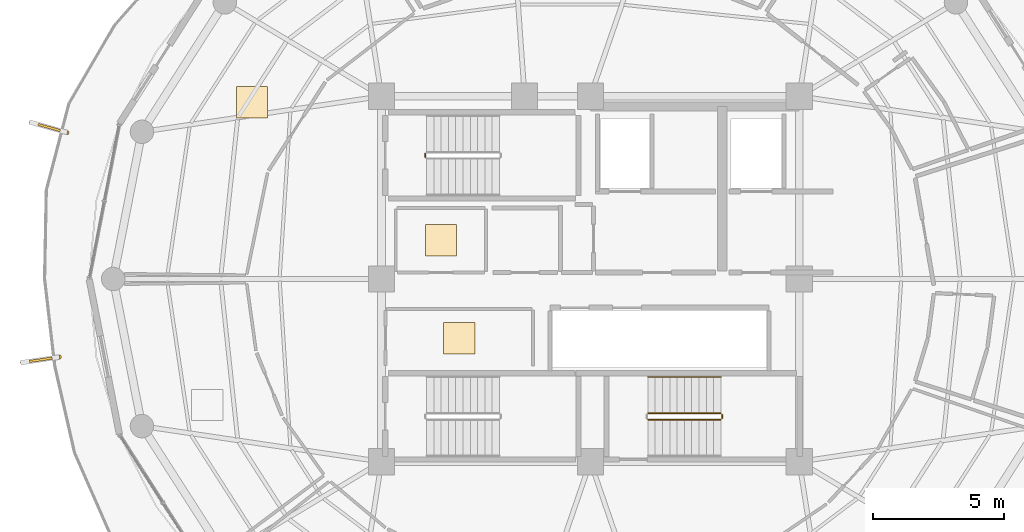
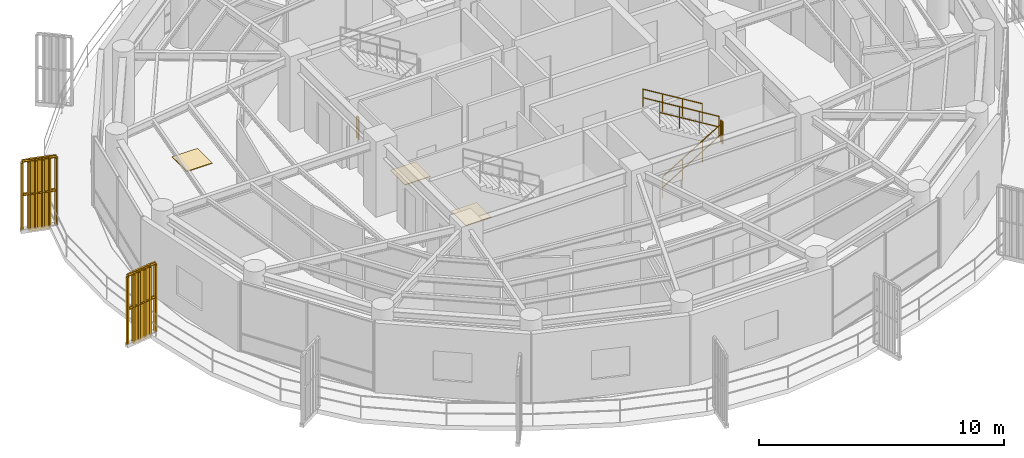
# One storey, part 20 of 22: 7 railings, 3 coverings, 2 shading devices.
"""IFC4 building model written with IfcOpenShell, lengths in metres."""

from ifc_helpers import new_model, si_unit, direction, frame, origin, origin_2d, place, context, subcontext, project, spatial, polyline, rectangle, outline, extrude, source, transform, mapped, material, layer, layer_set, type_object, element, save


model = new_model("IFC4")

# Units and contexts
model_context = context("Model", 3, precision=1e-05, world=origin(), true_north=direction((0.0, 1.0)))
body_context = subcontext(model_context, "Body", "Model", "MODEL_VIEW")
ifc_project = project(units=[si_unit("LENGTHUNIT", "METRE"), si_unit("AREAUNIT", "SQUARE_METRE"), si_unit("VOLUMEUNIT", "CUBIC_METRE"), si_unit("PLANEANGLEUNIT", "RADIAN"), si_unit("MASSUNIT", "GRAM", prefix="KILO")], contexts=[model_context])

# Site, building, storey
site_placement = place(None, origin())
site = spatial("IfcSite", under=ifc_project, at=site_placement, CompositionType="ELEMENT")
building_placement = place(site_placement, origin())
building = spatial("IfcBuilding", under=site, at=building_placement, Name="Kelanora Arch Commons", CompositionType="ELEMENT")
storey_placement = place(building_placement, frame((0.0, 0.0, 263.699951171875)))
storey = spatial("IfcBuildingStorey", under=building, at=storey_placement, Name="L67", CompositionType="ELEMENT", Elevation=263.699951171875)

# Railings
ifc_material_1 = material(Name="Anodised bronze vertical shading fin rib assembly")
railing_type_1 = type_object("IfcRailingType", Name="RAIL-FIN-BRZ", PredefinedType="BALUSTRADE", material=ifc_material_1)
railing_1_placement = place(storey_placement, frame((53.960205078125, 63.607666015625, -0.02001953125)))
element("IfcRailing", 1, at=railing_1_placement, inside=storey, type_object=railing_type_1, Name="Sweeping Bronze Vertical Fin Blade L67-08", PredefinedType="BALUSTRADE", context=body_context, shape_type="SweptSolid", body=[
    extrude(outline(polyline([(0.06982421875, 0.0), (0.034912109375, 0.060546875), (-0.034912109375, 0.060546875), (-0.06982421875, 0.0), (-0.034912109375, -0.060546875), (0.034912109375, -0.060546875), (0.06982421875, 0.0)])), frame((0.0, 0.0, 3.419921875), z_axis=(-0.962993811263, 0.269523504484, 0.0), x_axis=(-0.269523504484, -0.962993811263, 0.0)), (0.0, 0.0, 1.0), 1.446533203125),
    extrude(outline(polyline([(0.06982421875, 0.0), (0.034912109375, 0.060546875), (-0.034912109375, 0.060546875), (-0.06982421875, 0.0), (-0.034912109375, -0.060546875), (0.034912109375, -0.060546875), (0.06982421875, 0.0)])), frame((0.0, 0.0, 1.7451171875), z_axis=(-0.962993811263, 0.269523504484, 0.0), x_axis=(-0.269523504484, -0.962993811263, 0.0)), (0.0, 0.0, 1.0), 1.446533203125),
    extrude(outline(polyline([(0.080078125, 0.0), (0.0400390625, 0.0693359375), (-0.0400390625, 0.0693359375), (-0.080078125, 0.0), (-0.0400390625, -0.0693359375), (0.0400390625, -0.0693359375), (0.080078125, 0.0)])), origin(), (0.0, 0.0, 1.0), 3.35009765625),
    extrude(outline(polyline([(0.080078125, 0.0), (0.0400390625, 0.0693359375), (-0.0400390625, 0.0693359375), (-0.080078125, 0.0), (-0.0400390625, -0.0693359375), (0.0400390625, -0.0693359375), (0.080078125, 0.0)])), frame((-0.278564453125, 0.077880859375, 0.0)), (0.0, 0.0, 1.0), 3.35009765625),
    extrude(outline(polyline([(0.080078125, 0.0), (0.0400390625, 0.0693359375), (-0.0400390625, 0.0693359375), (-0.080078125, 0.0), (-0.0400390625, -0.0693359375), (0.0400390625, -0.0693359375), (0.080078125, 0.0)])), frame((-0.55712890625, 0.156005859375, 0.0)), (0.0, 0.0, 1.0), 3.35009765625),
    extrude(outline(polyline([(0.080078125, 0.0), (0.0400390625, 0.0693359375), (-0.0400390625, 0.0693359375), (-0.080078125, 0.0), (-0.0400390625, -0.0693359375), (0.0400390625, -0.0693359375), (0.080078125, 0.0)])), frame((-0.8359375, 0.23388671875, 0.0)), (0.0, 0.0, 1.0), 3.35009765625),
    extrude(outline(polyline([(0.080078125, 0.0), (0.0400390625, 0.0693359375), (-0.0400390625, 0.0693359375), (-0.080078125, 0.0), (-0.0400390625, -0.0693359375), (0.0400390625, -0.0693359375), (0.080078125, 0.0)])), frame((-1.114501953125, 0.31201171875, 0.0)), (0.0, 0.0, 1.0), 3.35009765625),
    extrude(outline(polyline([(0.080078125, 0.0), (0.0400390625, 0.0693359375), (-0.0400390625, 0.0693359375), (-0.080078125, 0.0), (-0.0400390625, -0.0693359375), (0.0400390625, -0.0693359375), (0.080078125, 0.0)])), frame((-1.39306640625, 0.389892578125, 0.0)), (0.0, 0.0, 1.0), 3.35009765625),
])
railing_2_placement = place(storey_placement, frame((53.662841796875, 55.0087890625, -0.02001953125)))
element("IfcRailing", 2, at=railing_2_placement, inside=storey, type_object=railing_type_1, Name="Sweeping Bronze Vertical Fin Blade L67-09", PredefinedType="BALUSTRADE", context=body_context, shape_type="SweptSolid", body=[
    extrude(outline(polyline([(0.06982421875, 0.0), (0.034912109375, 0.060546875), (-0.034912109375, 0.060546875), (-0.06982421875, 0.0), (-0.034912109375, -0.060546875), (0.034912109375, -0.060546875), (0.06982421875, 0.0)])), frame((0.0, 0.0, 3.419921875), z_axis=(-0.989364135752, -0.1454599838, 0.0), x_axis=(0.1454599838, -0.989364135752, 0.0)), (0.0, 0.0, 1.0), 1.44677734375),
    extrude(outline(polyline([(0.06982421875, 0.0), (0.034912109375, 0.060546875), (-0.034912109375, 0.060546875), (-0.06982421875, 0.0), (-0.034912109375, -0.060546875), (0.034912109375, -0.060546875), (0.06982421875, 0.0)])), frame((0.0, 0.0, 1.7451171875), z_axis=(-0.989364135752, -0.1454599838, 0.0), x_axis=(0.1454599838, -0.989364135752, 0.0)), (0.0, 0.0, 1.0), 1.44677734375),
    extrude(outline(polyline([(0.080078125, 0.0), (0.0400390625, 0.0693359375), (-0.0400390625, 0.0693359375), (-0.080078125, 0.0), (-0.0400390625, -0.0693359375), (0.0400390625, -0.0693359375), (0.080078125, 0.0)])), origin(), (0.0, 0.0, 1.0), 3.35009765625),
    extrude(outline(polyline([(0.080078125, 0.0), (0.0400390625, 0.0693359375), (-0.0400390625, 0.0693359375), (-0.080078125, 0.0), (-0.0400390625, -0.0693359375), (0.0400390625, -0.0693359375), (0.080078125, 0.0)])), frame((-0.286376953125, -0.0419921875, 0.0)), (0.0, 0.0, 1.0), 3.35009765625),
    extrude(outline(polyline([(0.080078125, 0.0), (0.0400390625, 0.0693359375), (-0.0400390625, 0.0693359375), (-0.080078125, 0.0), (-0.0400390625, -0.0693359375), (0.0400390625, -0.0693359375), (0.080078125, 0.0)])), frame((-0.572509765625, -0.084228515625, 0.0)), (0.0, 0.0, 1.0), 3.35009765625),
    extrude(outline(polyline([(0.080078125, 0.0), (0.0400390625, 0.0693359375), (-0.0400390625, 0.0693359375), (-0.080078125, 0.0), (-0.0400390625, -0.0693359375), (0.0400390625, -0.0693359375), (0.080078125, 0.0)])), frame((-0.85888671875, -0.126220703125, 0.0)), (0.0, 0.0, 1.0), 3.35009765625),
    extrude(outline(polyline([(0.080078125, 0.0), (0.0400390625, 0.0693359375), (-0.0400390625, 0.0693359375), (-0.080078125, 0.0), (-0.0400390625, -0.0693359375), (0.0400390625, -0.0693359375), (0.080078125, 0.0)])), frame((-1.14501953125, -0.16845703125, 0.0)), (0.0, 0.0, 1.0), 3.35009765625),
    extrude(outline(polyline([(0.080078125, 0.0), (0.0400390625, 0.0693359375), (-0.0400390625, 0.0693359375), (-0.080078125, 0.0), (-0.0400390625, -0.0693359375), (0.0400390625, -0.0693359375), (0.080078125, 0.0)])), frame((-1.431396484375, -0.21044921875, 0.0)), (0.0, 0.0, 1.0), 3.35009765625),
])
ifc_material_2 = material(Name="Painted steel stair well guard", Category="steel")
railing_type_2 = type_object("IfcRailingType", Name="RAIL-STAIR-GRD", PredefinedType="GUARDRAIL", material=ifc_material_2)
railing_3_placement = place(storey_placement, frame((67.669921875, 62.659912109375, 0.0)))
element("IfcRailing", 3, at=railing_3_placement, inside=storey, type_object=railing_type_2, Name="L67 ST-T1 stair guard 4", PredefinedType="GUARDRAIL", context=body_context, shape_type="SweptSolid", body=[
    extrude(outline(polyline([(0.02392578125, 0.0), (0.011962890625, 0.020751953125), (-0.011962890625, 0.020751953125), (-0.02392578125, 0.0), (-0.011962890625, -0.020751953125), (0.011962890625, -0.020751953125), (0.02392578125, 0.0)])), frame((0.0, 0.0, 1.076171875), z_axis=(0.0, 1.0, 0.0), x_axis=(-1.0, 0.0, 0.0)), (0.0, 0.0, 1.0), 0.150146484375),
    extrude(outline(polyline([(0.02392578125, 0.0), (0.011962890625, 0.020751953125), (-0.011962890625, 0.020751953125), (-0.02392578125, 0.0), (-0.011962890625, -0.020751953125), (0.011962890625, -0.020751953125), (0.02392578125, 0.0)])), frame((0.0, 0.0, 0.550048828125), z_axis=(0.0, 1.0, 0.0), x_axis=(-1.0, 0.0, 0.0)), (0.0, 0.0, 1.0), 0.150146484375),
    extrude(outline(polyline([(0.02099609375, 0.0), (0.010498046875, 0.01806640625), (-0.010498046875, 0.01806640625), (-0.02099609375, 0.0), (-0.010498046875, -0.01806640625), (0.010498046875, -0.01806640625), (0.02099609375, 0.0)])), origin(), (0.0, 0.0, 1.0), 1.052001953125),
    extrude(outline(polyline([(0.02099609375, 0.0), (0.010498046875, 0.01806640625), (-0.010498046875, 0.01806640625), (-0.02099609375, 0.0), (-0.010498046875, -0.01806640625), (0.010498046875, -0.01806640625), (0.02099609375, 0.0)])), frame((0.0, 0.150146484375, 0.0)), (0.0, 0.0, 1.0), 1.052001953125),
])
railing_4_placement = place(storey_placement, frame((76.199951171875, 52.610107421875, 0.17041015625)))
element("IfcRailing", 4, at=railing_4_placement, inside=storey, type_object=railing_type_2, Name="L67 ST-T2 stair guard 1", PredefinedType="GUARDRAIL", context=body_context, shape_type="SweptSolid", body=[
    extrude(outline(polyline([(0.02392578125, 0.0), (0.011962890625, 0.020751953125), (-0.011962890625, 0.020751953125), (-0.02392578125, 0.0), (-0.011962890625, -0.020751953125), (0.011962890625, -0.020751953125), (0.02392578125, 0.0)])), frame((0.0, 0.0, 1.076171875), z_axis=(0.854169791009, 0.0, 0.51999420009), x_axis=(0.0, 1.0, 0.0)), (0.0, 0.0, 1.0), 3.278076171875),
    extrude(outline(polyline([(0.02392578125, 0.0), (0.011962890625, 0.020751953125), (-0.011962890625, 0.020751953125), (-0.02392578125, 0.0), (-0.011962890625, -0.020751953125), (0.011962890625, -0.020751953125), (0.02392578125, 0.0)])), frame((0.0, 0.0, 0.550048828125), z_axis=(0.854169791009, 0.0, 0.51999420009), x_axis=(0.0, 1.0, 0.0)), (0.0, 0.0, 1.0), 3.278076171875),
    extrude(outline(polyline([(0.02099609375, 0.0), (0.010498046875, 0.01806640625), (-0.010498046875, 0.01806640625), (-0.02099609375, 0.0), (-0.010498046875, -0.01806640625), (0.010498046875, -0.01806640625), (0.02099609375, 0.0)])), origin(), (0.0, 0.0, 1.0), 1.052001953125),
    extrude(outline(polyline([(0.02099609375, 0.0), (0.010498046875, 0.01806640625), (-0.010498046875, 0.01806640625), (-0.02099609375, 0.0), (-0.010498046875, -0.01806640625), (0.010498046875, -0.01806640625), (0.02099609375, 0.0)])), frame((0.933349609375, 0.0, 0.568115234375)), (0.0, 0.0, 1.0), 1.052001953125),
    extrude(outline(polyline([(0.02099609375, 0.0), (0.010498046875, 0.01806640625), (-0.010498046875, 0.01806640625), (-0.02099609375, 0.0), (-0.010498046875, -0.01806640625), (0.010498046875, -0.01806640625), (0.02099609375, 0.0)])), frame((1.86669921875, 0.0, 1.136474609375)), (0.0, 0.0, 1.0), 1.052001953125),
    extrude(outline(polyline([(0.02099609375, 0.0), (0.010498046875, 0.01806640625), (-0.010498046875, 0.01806640625), (-0.02099609375, 0.0), (-0.010498046875, -0.01806640625), (0.010498046875, -0.01806640625), (0.02099609375, 0.0)])), frame((2.800048828125, 0.0, 1.70458984375)), (0.0, 0.0, 1.0), 1.052001953125),
])
railing_5_placement = place(storey_placement, frame((79.050048828125, 52.659912109375, 1.875)))
element("IfcRailing", 5, at=railing_5_placement, inside=storey, type_object=railing_type_2, Name="L67 ST-T2 stair guard 2", PredefinedType="GUARDRAIL", context=body_context, shape_type="SweptSolid", body=[
    extrude(outline(polyline([(0.02392578125, 0.0), (0.011962890625, 0.020751953125), (-0.011962890625, 0.020751953125), (-0.02392578125, 0.0), (-0.011962890625, -0.020751953125), (0.011962890625, -0.020751953125), (0.02392578125, 0.0)])), frame((0.0, 0.0, 1.076171875), z_axis=(0.0, 1.0, 0.0), x_axis=(-1.0, 0.0, 0.0)), (0.0, 0.0, 1.0), 0.150146484375),
    extrude(outline(polyline([(0.02392578125, 0.0), (0.011962890625, 0.020751953125), (-0.011962890625, 0.020751953125), (-0.02392578125, 0.0), (-0.011962890625, -0.020751953125), (0.011962890625, -0.020751953125), (0.02392578125, 0.0)])), frame((0.0, 0.0, 0.550048828125), z_axis=(0.0, 1.0, 0.0), x_axis=(-1.0, 0.0, 0.0)), (0.0, 0.0, 1.0), 0.150146484375),
    extrude(outline(polyline([(0.02099609375, 0.0), (0.010498046875, 0.01806640625), (-0.010498046875, 0.01806640625), (-0.02099609375, 0.0), (-0.010498046875, -0.01806640625), (0.010498046875, -0.01806640625), (0.02099609375, 0.0)])), origin(), (0.0, 0.0, 1.0), 1.052001953125),
    extrude(outline(polyline([(0.02099609375, 0.0), (0.010498046875, 0.01806640625), (-0.010498046875, 0.01806640625), (-0.02099609375, 0.0), (-0.010498046875, -0.01806640625), (0.010498046875, -0.01806640625), (0.02099609375, 0.0)])), frame((0.0, 0.150146484375, 0.0)), (0.0, 0.0, 1.0), 1.052001953125),
])
railing_6_placement = place(storey_placement, frame((79.0, 52.860107421875, 2.04541015625)))
element("IfcRailing", 6, at=railing_6_placement, inside=storey, type_object=railing_type_2, Name="L67 ST-T2 stair guard 3", PredefinedType="GUARDRAIL", context=body_context, shape_type="SweptSolid", body=[
    extrude(outline(polyline([(0.02392578125, 0.0), (0.011962890625, 0.020751953125), (-0.011962890625, 0.020751953125), (-0.02392578125, 0.0), (-0.011962890625, -0.020751953125), (0.011962890625, -0.020751953125), (0.02392578125, 0.0)])), frame((0.0, 0.0, 1.076171875), z_axis=(-0.854169791009, 0.0, 0.51999420009), x_axis=(0.0, -1.0, 0.0)), (0.0, 0.0, 1.0), 3.278076171875),
    extrude(outline(polyline([(0.02392578125, 0.0), (0.011962890625, 0.020751953125), (-0.011962890625, 0.020751953125), (-0.02392578125, 0.0), (-0.011962890625, -0.020751953125), (0.011962890625, -0.020751953125), (0.02392578125, 0.0)])), frame((0.0, 0.0, 0.550048828125), z_axis=(-0.854169791009, 0.0, 0.51999420009), x_axis=(0.0, -1.0, 0.0)), (0.0, 0.0, 1.0), 3.278076171875),
    extrude(outline(polyline([(0.02099609375, 0.0), (0.010498046875, 0.01806640625), (-0.010498046875, 0.01806640625), (-0.02099609375, 0.0), (-0.010498046875, -0.01806640625), (0.010498046875, -0.01806640625), (0.02099609375, 0.0)])), origin(), (0.0, 0.0, 1.0), 1.052001953125),
    extrude(outline(polyline([(0.02099609375, 0.0), (0.010498046875, 0.01806640625), (-0.010498046875, 0.01806640625), (-0.02099609375, 0.0), (-0.010498046875, -0.01806640625), (0.010498046875, -0.01806640625), (0.02099609375, 0.0)])), frame((-0.933349609375, 0.0, 0.568115234375)), (0.0, 0.0, 1.0), 1.052001953125),
    extrude(outline(polyline([(0.02099609375, 0.0), (0.010498046875, 0.01806640625), (-0.010498046875, 0.01806640625), (-0.02099609375, 0.0), (-0.010498046875, -0.01806640625), (0.010498046875, -0.01806640625), (0.02099609375, 0.0)])), frame((-1.86669921875, 0.0, 1.136474609375)), (0.0, 0.0, 1.0), 1.052001953125),
    extrude(outline(polyline([(0.02099609375, 0.0), (0.010498046875, 0.01806640625), (-0.010498046875, 0.01806640625), (-0.02099609375, 0.0), (-0.010498046875, -0.01806640625), (0.010498046875, -0.01806640625), (0.02099609375, 0.0)])), frame((-2.800048828125, 0.0, 1.70458984375)), (0.0, 0.0, 1.0), 1.052001953125),
])
ifc_material_3 = material(Name="Brushed stainless steel stair handrail", Category="steel")
railing_type_3 = type_object("IfcRailingType", Name="RAIL-STAIR-HND", PredefinedType="HANDRAIL", material=ifc_material_3)
railing_7_placement = place(storey_placement, frame((79.0, 54.239990234375, 2.04541015625)))
element("IfcRailing", 7, at=railing_7_placement, inside=storey, type_object=railing_type_3, Name="L67 ST-T2 stair handrail 2", PredefinedType="HANDRAIL", context=body_context, shape_type="SweptSolid", body=[
    extrude(outline(polyline([(0.02392578125, 0.0), (0.011962890625, 0.020751953125), (-0.011962890625, 0.020751953125), (-0.02392578125, 0.0), (-0.011962890625, -0.020751953125), (0.011962890625, -0.020751953125), (0.02392578125, 0.0)])), frame((0.0, 0.0, 0.8759765625), z_axis=(-0.854169791009, 0.0, 0.51999420009), x_axis=(0.0, -1.0, 0.0)), (0.0, 0.0, 1.0), 3.278076171875),
    extrude(outline(polyline([(0.02392578125, 0.0), (0.011962890625, 0.020751953125), (-0.011962890625, 0.020751953125), (-0.02392578125, 0.0), (-0.011962890625, -0.020751953125), (0.011962890625, -0.020751953125), (0.02392578125, 0.0)])), frame((0.0, 0.0, 0.449951171875), z_axis=(-0.854169791009, 0.0, 0.51999420009), x_axis=(0.0, -1.0, 0.0)), (0.0, 0.0, 1.0), 3.278076171875),
    extrude(outline(polyline([(0.02099609375, 0.0), (0.010498046875, 0.01806640625), (-0.010498046875, 0.01806640625), (-0.02099609375, 0.0), (-0.010498046875, -0.01806640625), (0.010498046875, -0.01806640625), (0.02099609375, 0.0)])), origin(), (0.0, 0.0, 1.0), 0.851806640625),
    extrude(outline(polyline([(0.02099609375, 0.0), (0.010498046875, 0.01806640625), (-0.010498046875, 0.01806640625), (-0.02099609375, 0.0), (-0.010498046875, -0.01806640625), (0.010498046875, -0.01806640625), (0.02099609375, 0.0)])), frame((-0.933349609375, 0.0, 0.568115234375)), (0.0, 0.0, 1.0), 0.851806640625),
    extrude(outline(polyline([(0.02099609375, 0.0), (0.010498046875, 0.01806640625), (-0.010498046875, 0.01806640625), (-0.02099609375, 0.0), (-0.010498046875, -0.01806640625), (0.010498046875, -0.01806640625), (0.02099609375, 0.0)])), frame((-1.86669921875, 0.0, 1.136474609375)), (0.0, 0.0, 1.0), 0.851806640625),
    extrude(outline(polyline([(0.02099609375, 0.0), (0.010498046875, 0.01806640625), (-0.010498046875, 0.01806640625), (-0.02099609375, 0.0), (-0.010498046875, -0.01806640625), (0.010498046875, -0.01806640625), (0.02099609375, 0.0)])), frame((-2.800048828125, 0.0, 1.70458984375)), (0.0, 0.0, 1.0), 0.851806640625),
])

# Shading devices
ifc_material_4 = material(Name="Terracotta ceramic-clad extruded aluminium fin", Category="masonry")
shading_device_type = type_object("IfcShadingDeviceType", Name="SHD-FIN-FLARE", PredefinedType="USERDEFINED", material=ifc_material_4)
shared_shape_1 = source(origin(), body_context, "Body", "SweptSolid", [
    extrude(rectangle(XDim=0.8798828125, YDim=0.090087890625, at=origin_2d()), origin(), (0.0, 0.0, 1.0), 3.610107421875),
])
for number, where, z_axis, x_axis, name in (
    (8, (53.26708984375, 63.801513671875, -0.14013671875), (0.0, 0.0, 1.0), (-0.963021628687, 0.26942409447, 0.0), "Sweeping Terracotta Fin L67-08"),
    (9, (52.950439453125, 54.904052734375, -0.14013671875), (0.0, 0.0, 1.0), (-0.989348686247, -0.145565026779, 0.0), "Sweeping Terracotta Fin L67-09"),
):
    element("IfcShadingDevice", number, at=place(storey_placement, frame(where, z_axis=z_axis, x_axis=x_axis)), inside=storey, type_object=shading_device_type, Name=name, ObjectType="FIN", PredefinedType="USERDEFINED", context=body_context, shape_type="MappedRepresentation", body=[
        mapped(shared_shape_1, transform((0.0, 0.0, 0.0), scale=1.0)),
    ])

# Coverings
ifc_material_5 = material(Name="Polished local granite terrazzo flooring", Category="masonry")
ifc_layer = layer(ifc_material_5, 0.030029296875)
ifc_layer_set = layer_set([ifc_layer], Name="Polished local granite terrazzo flooring")
covering_type = type_object("IfcCoveringType", Name="COV-FLR-TER", PredefinedType="FLOORING", material=ifc_layer_set)
shared_shape_2 = source(origin(), body_context, "Body", "SweptSolid", [
    extrude(rectangle(XDim=1.199951171875, YDim=1.199951171875, at=origin_2d()), origin(), (0.0, 0.0, 1.0), 0.030029296875),
])
for number, where, z_axis, x_axis, name in (
    (10, (68.27490234375, 59.485107421875, 0.0), (0.0, 0.0, 1.0), (1.0, 0.0, 0.0), "Reclaimed Core Quiet Phone Booths L67 Terrazzo Finish"),
    (11, (68.97509765625, 55.735107421875, 0.0), (0.0, 0.0, 1.0), (1.0, 0.0, 0.0), "Reclaimed Core High-Zone Pantry and Copy Room L67 Terrazzo Finish"),
    (12, (61.037841796875, 64.763916015625, 0.0), (0.0, 0.0, 1.0), (1.0, 0.0, 0.0), "Communal Dining and Social Hall L67-03 Terrazzo Finish"),
):
    element("IfcCovering", number, at=place(storey_placement, frame(where, z_axis=z_axis, x_axis=x_axis)), inside=storey, type_object=covering_type, Name=name, PredefinedType="FLOORING", context=body_context, shape_type="MappedRepresentation", body=[
        mapped(shared_shape_2, transform((0.0, 0.0, 0.0), scale=1.0)),
    ])

save(model, "model.ifc")
